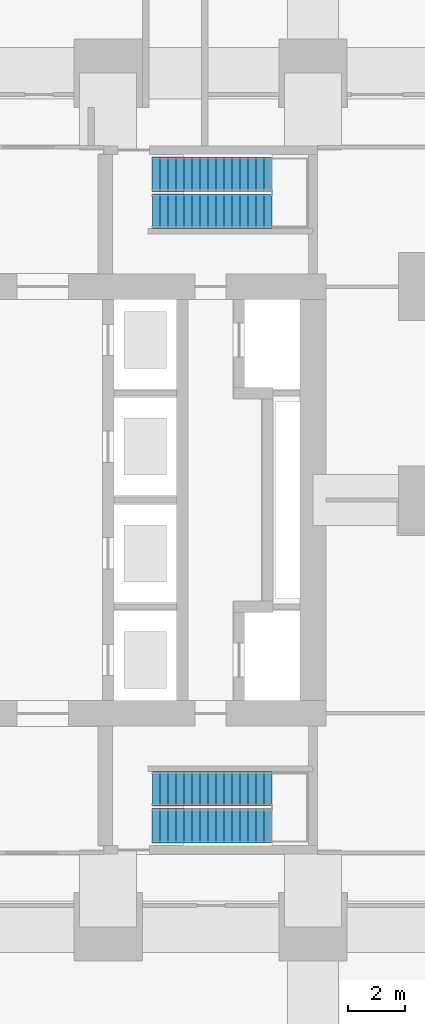
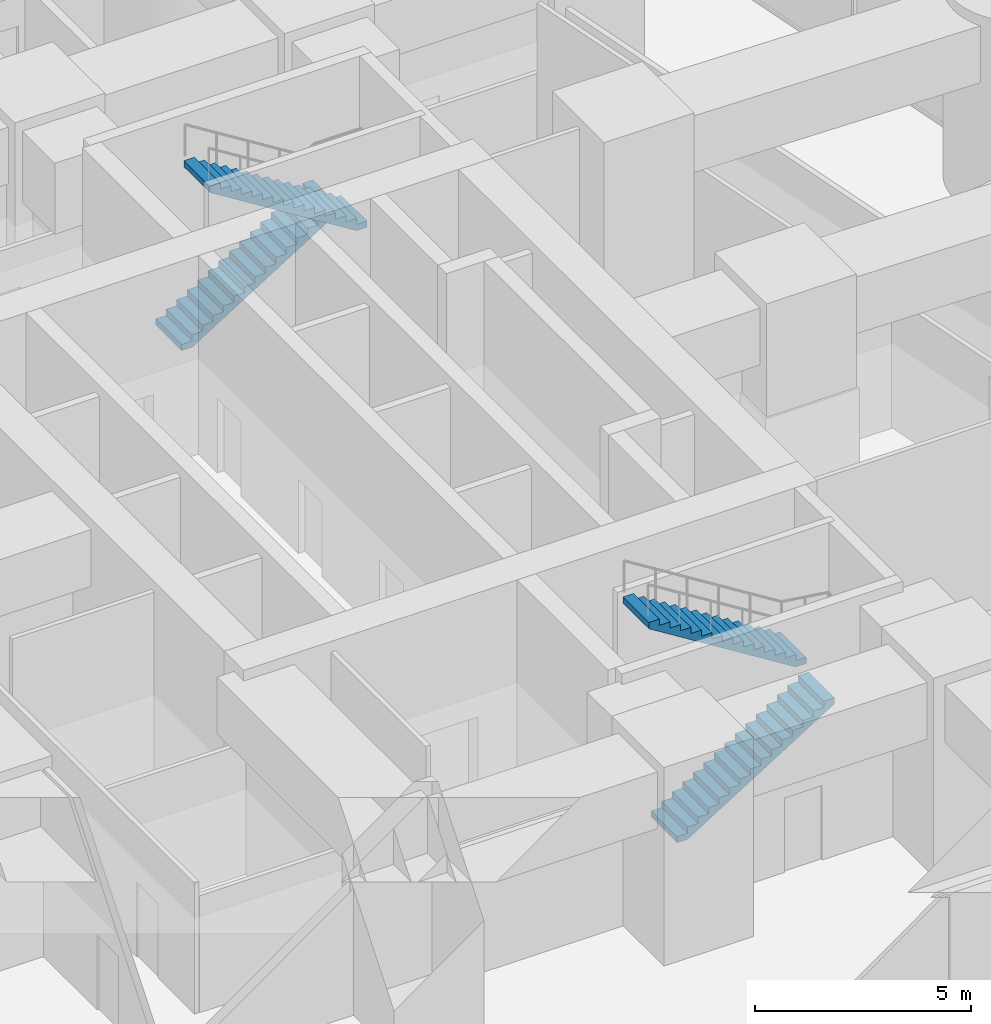
# One storey, part 13 of 16: 4 stair flights, 2 elements without a shape of their own.
"""IFC4 building model written with IfcOpenShell, lengths in metres."""

from ifc_helpers import new_model, si_unit, direction, frame, origin, place, context, subcontext, project, spatial, triangles, material, type_object, element, aggregate, save


model = new_model("IFC4")

# Units and contexts
model_context = context("Model", 3, precision=1e-05, world=origin(), true_north=direction((0.0, 1.0)))
body_context = subcontext(model_context, "Body", "Model", "MODEL_VIEW")
ifc_project = project(units=[si_unit("LENGTHUNIT", "METRE"), si_unit("AREAUNIT", "SQUARE_METRE"), si_unit("VOLUMEUNIT", "CUBIC_METRE"), si_unit("PLANEANGLEUNIT", "RADIAN"), si_unit("MASSUNIT", "GRAM", prefix="KILO")], contexts=[model_context])

# Site, building, storey
site_placement = place(None, origin())
site = spatial("IfcSite", under=ifc_project, at=site_placement, CompositionType="ELEMENT")
building_placement = place(site_placement, origin())
building = spatial("IfcBuilding", under=site, at=building_placement, Name="Sheger Commons Tower", CompositionType="ELEMENT")
storey_placement = place(building_placement, origin())
storey = spatial("IfcBuildingStorey", under=building, at=storey_placement, Name="L00", CompositionType="ELEMENT", Elevation=0.0)

# Stair, stair flights
ifc_material_1 = material(Name="Concrete C35/45", Category="concrete")
stair_type = type_object("IfcStairType", Name="HALF-TURN STAIR 1200 RISE 5600", PredefinedType="HALF_TURN_STAIR", material=ifc_material_1)
stair_1_placement = place(storey_placement, origin())
stair_1 = element("IfcStair", 1, at=stair_1_placement, inside=storey, type_object=stair_type, Name="Stair S1 L00", PredefinedType="HALF_TURN_STAIR")
ifc_material_2 = material(Name="Concrete C35/45", Category="concrete")
stair_flight_type = type_object("IfcStairFlightType", Name="STAIR FLIGHT 1200 16 RISERS OF 175", PredefinedType="STRAIGHT", material=ifc_material_2)
stair_flight_1_placement = place(storey_placement, frame((23.14990234375, 11.050048828125, 0.0), z_axis=(0.0, 0.0, 1.0), x_axis=(1.0, 0.0, 0.0)))
stair_flight_1 = element("IfcStairFlight", 2, at=stair_flight_1_placement, type_object=stair_flight_type, Name="S1 flight 1", NumberOfRisers=16, NumberOfTreads=15, PredefinedType="STRAIGHT", RiserHeight=0.175, TreadLength=0.28, context=body_context, shape_type="Tessellation", body=[
    triangles([(0.0, 0.5999755859375, 0.0), (0.0, 0.5999755859375, 0.175048828125), (0.280029296875, 0.5999755859375, 0.175048828125), (0.280029296875, 0.5999755859375, 0.35009765625), (0.56005859375, 0.5999755859375, 0.35009765625), (0.56005859375, 0.5999755859375, 0.52490234375), (0.840087890625, 0.5999755859375, 0.52490234375), (0.840087890625, 0.5999755859375, 0.699951171875), (1.1201171875, 0.5999755859375, 0.699951171875), (1.1201171875, 0.5999755859375, 0.875), (1.39990234375, 0.5999755859375, 0.875), (1.39990234375, 0.5999755859375, 1.050048828125), (1.679931640625, 0.5999755859375, 1.050048828125), (1.679931640625, 0.5999755859375, 1.22509765625), (1.9599609375, 0.5999755859375, 1.22509765625), (1.9599609375, 0.5999755859375, 1.39990234375), (2.239990234375, 0.5999755859375, 1.39990234375), (2.239990234375, 0.5999755859375, 1.574951171875), (2.52001953125, 0.5999755859375, 1.574951171875), (2.52001953125, 0.5999755859375, 1.75), (2.800048828125, 0.5999755859375, 1.75), (2.800048828125, 0.5999755859375, 1.925048828125), (3.080078125, 0.5999755859375, 1.925048828125), (3.080078125, 0.5999755859375, 2.10009765625), (3.360107421875, 0.5999755859375, 2.10009765625), (3.360107421875, 0.5999755859375, 2.27490234375), (3.639892578125, 0.5999755859375, 2.27490234375), (3.639892578125, 0.5999755859375, 2.449951171875), (3.919921875, 0.5999755859375, 2.449951171875), (3.919921875, 0.5999755859375, 2.625), (4.199951171875, 0.5999755859375, 2.625), (4.199951171875, 0.5999755859375, 2.4482421875), (0.28271484375, 0.5999755859375, 0.0), (0.0, -0.5999755859375, 0.0), (0.0, -0.5999755859375, 0.175048828125), (0.280029296875, -0.5999755859375, 0.175048828125), (0.280029296875, -0.5999755859375, 0.35009765625), (0.56005859375, -0.5999755859375, 0.35009765625), (0.56005859375, -0.5999755859375, 0.52490234375), (0.840087890625, -0.5999755859375, 0.52490234375), (0.840087890625, -0.5999755859375, 0.699951171875), (1.1201171875, -0.5999755859375, 0.699951171875), (1.1201171875, -0.5999755859375, 0.875), (1.39990234375, -0.5999755859375, 0.875), (1.39990234375, -0.5999755859375, 1.050048828125), (1.679931640625, -0.5999755859375, 1.050048828125), (1.679931640625, -0.5999755859375, 1.22509765625), (1.9599609375, -0.5999755859375, 1.22509765625), (1.9599609375, -0.5999755859375, 1.39990234375), (2.239990234375, -0.5999755859375, 1.39990234375), (2.239990234375, -0.5999755859375, 1.574951171875), (2.52001953125, -0.5999755859375, 1.574951171875), (2.52001953125, -0.5999755859375, 1.75), (2.800048828125, -0.5999755859375, 1.75), (2.800048828125, -0.5999755859375, 1.925048828125), (3.080078125, -0.5999755859375, 1.925048828125), (3.080078125, -0.5999755859375, 2.10009765625), (3.360107421875, -0.5999755859375, 2.10009765625), (3.360107421875, -0.5999755859375, 2.27490234375), (3.639892578125, -0.5999755859375, 2.27490234375), (3.639892578125, -0.5999755859375, 2.449951171875), (3.919921875, -0.5999755859375, 2.449951171875), (3.919921875, -0.5999755859375, 2.625), (4.199951171875, -0.5999755859375, 2.625), (4.199951171875, -0.5999755859375, 2.4482421875), (0.28271484375, -0.5999755859375, 0.0), (0.0, 0.0, 0.0875244140625), (0.1400146484375, 0.0, 0.175048828125), (0.280029296875, 0.0, 0.2625732421875), (0.4200439453125, 0.0, 0.35009765625), (0.56005859375, 0.0, 0.4375), (0.7000732421875, 0.0, 0.52490234375), (0.840087890625, 0.0, 0.6124267578125), (0.9801025390625, 0.0, 0.699951171875), (1.1201171875, 0.0, 0.7874755859375), (1.260009765625, 0.0, 0.875), (1.39990234375, 0.0, 0.9625244140625), (1.5399169921875, 0.0, 1.050048828125), (1.679931640625, 0.0, 1.1375732421875), (1.8199462890625, 0.0, 1.22509765625), (1.9599609375, 0.0, 1.3125), (2.0999755859375, 0.0, 1.39990234375), (2.239990234375, 0.0, 1.4874267578125), (2.3800048828125, 0.0, 1.574951171875), (2.52001953125, 0.0, 1.6624755859375), (2.6600341796875, 0.0, 1.75), (2.800048828125, 0.0, 1.8375244140625), (2.9400634765625, 0.0, 1.925048828125), (3.080078125, 0.0, 2.0125732421875), (3.2200927734375, 0.0, 2.10009765625), (3.360107421875, 0.0, 2.1875), (3.5, 0.0, 2.27490234375), (3.639892578125, 0.0, 2.3624267578125), (3.7799072265625, 0.0, 2.449951171875), (3.919921875, 0.0, 2.5374755859375), (4.0599365234375, 0.0, 2.625), (4.199951171875, 0.0, 2.53662109375), (2.2413330078125, 0.0, 1.22412109375), (0.141357421875, 0.0, 0.0)], [[1, 32, 33], [34, 66, 65], [32, 30, 31], [65, 64, 63], [32, 29, 30], [65, 63, 62], [32, 28, 29], [65, 62, 61], [32, 27, 28], [65, 61, 60], [27, 25, 26], [60, 59, 58], [32, 25, 27], [65, 60, 58], [25, 23, 24], [58, 57, 56], [32, 23, 25], [65, 58, 56], [23, 21, 22], [56, 55, 54], [32, 21, 23], [65, 56, 54], [21, 19, 20], [54, 53, 52], [32, 19, 21], [65, 54, 52], [19, 17, 18], [52, 51, 50], [32, 17, 19], [65, 52, 50], [17, 15, 16], [50, 49, 48], [32, 15, 17], [65, 50, 48], [15, 13, 14], [48, 47, 46], [32, 13, 15], [65, 48, 46], [13, 11, 12], [46, 45, 44], [32, 11, 13], [65, 46, 44], [11, 9, 10], [44, 43, 42], [32, 9, 11], [65, 44, 42], [9, 7, 8], [42, 41, 40], [32, 7, 9], [65, 42, 40], [1, 7, 32], [34, 65, 40], [7, 5, 6], [40, 39, 38], [5, 3, 4], [38, 37, 36], [7, 3, 5], [40, 38, 36], [1, 3, 7], [34, 40, 36], [3, 1, 2], [36, 35, 34], [1, 67, 2], [2, 67, 35], [35, 67, 34], [34, 67, 1], [2, 68, 3], [3, 68, 36], [36, 68, 35], [35, 68, 2], [3, 69, 4], [4, 69, 37], [37, 69, 36], [36, 69, 3], [4, 70, 5], [5, 70, 38], [38, 70, 37], [37, 70, 4], [5, 71, 6], [6, 71, 39], [39, 71, 38], [38, 71, 5], [6, 72, 7], [7, 72, 40], [40, 72, 39], [39, 72, 6], [7, 73, 8], [8, 73, 41], [41, 73, 40], [40, 73, 7], [8, 74, 9], [9, 74, 42], [42, 74, 41], [41, 74, 8], [9, 75, 10], [10, 75, 43], [43, 75, 42], [42, 75, 9], [10, 76, 11], [11, 76, 44], [44, 76, 43], [43, 76, 10], [11, 77, 12], [12, 77, 45], [45, 77, 44], [44, 77, 11], [12, 78, 13], [13, 78, 46], [46, 78, 45], [45, 78, 12], [13, 79, 14], [14, 79, 47], [47, 79, 46], [46, 79, 13], [14, 80, 15], [15, 80, 48], [48, 80, 47], [47, 80, 14], [15, 81, 16], [16, 81, 49], [49, 81, 48], [48, 81, 15], [16, 82, 17], [17, 82, 50], [50, 82, 49], [49, 82, 16], [17, 83, 18], [18, 83, 51], [51, 83, 50], [50, 83, 17], [18, 84, 19], [19, 84, 52], [52, 84, 51], [51, 84, 18], [19, 85, 20], [20, 85, 53], [53, 85, 52], [52, 85, 19], [20, 86, 21], [21, 86, 54], [54, 86, 53], [53, 86, 20], [21, 87, 22], [22, 87, 55], [55, 87, 54], [54, 87, 21], [22, 88, 23], [23, 88, 56], [56, 88, 55], [55, 88, 22], [23, 89, 24], [24, 89, 57], [57, 89, 56], [56, 89, 23], [24, 90, 25], [25, 90, 58], [58, 90, 57], [57, 90, 24], [25, 91, 26], [26, 91, 59], [59, 91, 58], [58, 91, 25], [26, 92, 27], [27, 92, 60], [60, 92, 59], [59, 92, 26], [27, 93, 28], [28, 93, 61], [61, 93, 60], [60, 93, 27], [28, 94, 29], [29, 94, 62], [62, 94, 61], [61, 94, 28], [29, 95, 30], [30, 95, 63], [63, 95, 62], [62, 95, 29], [30, 96, 31], [31, 96, 64], [64, 96, 63], [63, 96, 30], [31, 97, 32], [32, 97, 65], [65, 97, 64], [64, 97, 31], [32, 98, 33], [33, 98, 66], [66, 98, 65], [65, 98, 32], [33, 99, 1], [1, 99, 34], [34, 99, 66], [66, 99, 33]], closed=True),
])
stair_flight_2_placement = place(storey_placement, frame((27.35009765625, 12.35009765625, 2.800048828125), z_axis=(0.0, 0.0, 1.0), x_axis=(-1.0, 0.0, 0.0)))
stair_flight_2 = element("IfcStairFlight", 3, at=stair_flight_2_placement, type_object=stair_flight_type, Name="S1 flight 2", NumberOfRisers=16, NumberOfTreads=15, PredefinedType="STRAIGHT", RiserHeight=0.175, TreadLength=0.28, context=body_context, shape_type="Tessellation", body=[
    triangles([(0.0, 0.5999755859375, 0.0), (0.0, 0.5999755859375, 0.175048828125), (0.280029296875, 0.5999755859375, 0.175048828125), (0.280029296875, 0.5999755859375, 0.35009765625), (0.56005859375, 0.5999755859375, 0.35009765625), (0.56005859375, 0.5999755859375, 0.52490234375), (0.840087890625, 0.5999755859375, 0.52490234375), (0.840087890625, 0.5999755859375, 0.699951171875), (1.1201171875, 0.5999755859375, 0.699951171875), (1.1201171875, 0.5999755859375, 0.875), (1.39990234375, 0.5999755859375, 0.875), (1.39990234375, 0.5999755859375, 1.050048828125), (1.679931640625, 0.5999755859375, 1.050048828125), (1.679931640625, 0.5999755859375, 1.22509765625), (1.9599609375, 0.5999755859375, 1.22509765625), (1.9599609375, 0.5999755859375, 1.39990234375), (2.239990234375, 0.5999755859375, 1.39990234375), (2.239990234375, 0.5999755859375, 1.574951171875), (2.52001953125, 0.5999755859375, 1.574951171875), (2.52001953125, 0.5999755859375, 1.75), (2.800048828125, 0.5999755859375, 1.75), (2.800048828125, 0.5999755859375, 1.925048828125), (3.080078125, 0.5999755859375, 1.925048828125), (3.080078125, 0.5999755859375, 2.10009765625), (3.360107421875, 0.5999755859375, 2.10009765625), (3.360107421875, 0.5999755859375, 2.27490234375), (3.639892578125, 0.5999755859375, 2.27490234375), (3.639892578125, 0.5999755859375, 2.449951171875), (3.919921875, 0.5999755859375, 2.449951171875), (3.919921875, 0.5999755859375, 2.625), (4.199951171875, 0.5999755859375, 2.625), (4.199951171875, 0.5999755859375, 2.4482421875), (0.28271484375, 0.5999755859375, 0.0), (0.0, -0.5999755859375, 0.0), (0.0, -0.5999755859375, 0.175048828125), (0.280029296875, -0.5999755859375, 0.175048828125), (0.280029296875, -0.5999755859375, 0.35009765625), (0.56005859375, -0.5999755859375, 0.35009765625), (0.56005859375, -0.5999755859375, 0.52490234375), (0.840087890625, -0.5999755859375, 0.52490234375), (0.840087890625, -0.5999755859375, 0.699951171875), (1.1201171875, -0.5999755859375, 0.699951171875), (1.1201171875, -0.5999755859375, 0.875), (1.39990234375, -0.5999755859375, 0.875), (1.39990234375, -0.5999755859375, 1.050048828125), (1.679931640625, -0.5999755859375, 1.050048828125), (1.679931640625, -0.5999755859375, 1.22509765625), (1.9599609375, -0.5999755859375, 1.22509765625), (1.9599609375, -0.5999755859375, 1.39990234375), (2.239990234375, -0.5999755859375, 1.39990234375), (2.239990234375, -0.5999755859375, 1.574951171875), (2.52001953125, -0.5999755859375, 1.574951171875), (2.52001953125, -0.5999755859375, 1.75), (2.800048828125, -0.5999755859375, 1.75), (2.800048828125, -0.5999755859375, 1.925048828125), (3.080078125, -0.5999755859375, 1.925048828125), (3.080078125, -0.5999755859375, 2.10009765625), (3.360107421875, -0.5999755859375, 2.10009765625), (3.360107421875, -0.5999755859375, 2.27490234375), (3.639892578125, -0.5999755859375, 2.27490234375), (3.639892578125, -0.5999755859375, 2.449951171875), (3.919921875, -0.5999755859375, 2.449951171875), (3.919921875, -0.5999755859375, 2.625), (4.199951171875, -0.5999755859375, 2.625), (4.199951171875, -0.5999755859375, 2.4482421875), (0.28271484375, -0.5999755859375, 0.0), (0.0, 0.0, 0.0875244140625), (0.1400146484375, 0.0, 0.175048828125), (0.280029296875, 0.0, 0.2625732421875), (0.4200439453125, 0.0, 0.35009765625), (0.56005859375, 0.0, 0.4375), (0.7000732421875, 0.0, 0.52490234375), (0.840087890625, 0.0, 0.6124267578125), (0.9801025390625, 0.0, 0.699951171875), (1.1201171875, 0.0, 0.7874755859375), (1.260009765625, 0.0, 0.875), (1.39990234375, 0.0, 0.9625244140625), (1.5399169921875, 0.0, 1.050048828125), (1.679931640625, 0.0, 1.1375732421875), (1.8199462890625, 0.0, 1.22509765625), (1.9599609375, 0.0, 1.3125), (2.0999755859375, 0.0, 1.39990234375), (2.239990234375, 0.0, 1.4874267578125), (2.3800048828125, 0.0, 1.574951171875), (2.52001953125, 0.0, 1.6624755859375), (2.6600341796875, 0.0, 1.75), (2.800048828125, 0.0, 1.8375244140625), (2.9400634765625, 0.0, 1.925048828125), (3.080078125, 0.0, 2.0125732421875), (3.2200927734375, 0.0, 2.10009765625), (3.360107421875, 0.0, 2.1875), (3.5, 0.0, 2.27490234375), (3.639892578125, 0.0, 2.3624267578125), (3.7799072265625, 0.0, 2.449951171875), (3.919921875, 0.0, 2.5374755859375), (4.0599365234375, 0.0, 2.625), (4.199951171875, 0.0, 2.53662109375), (2.2413330078125, 0.0, 1.22412109375), (0.141357421875, 0.0, 0.0)], [[1, 32, 33], [34, 66, 65], [32, 30, 31], [65, 64, 63], [32, 29, 30], [65, 63, 62], [32, 28, 29], [65, 62, 61], [32, 27, 28], [65, 61, 60], [27, 25, 26], [60, 59, 58], [32, 25, 27], [65, 60, 58], [25, 23, 24], [58, 57, 56], [32, 23, 25], [65, 58, 56], [23, 21, 22], [56, 55, 54], [32, 21, 23], [65, 56, 54], [21, 19, 20], [54, 53, 52], [32, 19, 21], [65, 54, 52], [19, 17, 18], [52, 51, 50], [32, 17, 19], [65, 52, 50], [17, 15, 16], [50, 49, 48], [32, 15, 17], [65, 50, 48], [15, 13, 14], [48, 47, 46], [32, 13, 15], [65, 48, 46], [13, 11, 12], [46, 45, 44], [32, 11, 13], [65, 46, 44], [11, 9, 10], [44, 43, 42], [32, 9, 11], [65, 44, 42], [9, 7, 8], [42, 41, 40], [32, 7, 9], [65, 42, 40], [1, 7, 32], [34, 65, 40], [7, 5, 6], [40, 39, 38], [5, 3, 4], [38, 37, 36], [7, 3, 5], [40, 38, 36], [1, 3, 7], [34, 40, 36], [3, 1, 2], [36, 35, 34], [1, 67, 2], [2, 67, 35], [35, 67, 34], [34, 67, 1], [2, 68, 3], [3, 68, 36], [36, 68, 35], [35, 68, 2], [3, 69, 4], [4, 69, 37], [37, 69, 36], [36, 69, 3], [4, 70, 5], [5, 70, 38], [38, 70, 37], [37, 70, 4], [5, 71, 6], [6, 71, 39], [39, 71, 38], [38, 71, 5], [6, 72, 7], [7, 72, 40], [40, 72, 39], [39, 72, 6], [7, 73, 8], [8, 73, 41], [41, 73, 40], [40, 73, 7], [8, 74, 9], [9, 74, 42], [42, 74, 41], [41, 74, 8], [9, 75, 10], [10, 75, 43], [43, 75, 42], [42, 75, 9], [10, 76, 11], [11, 76, 44], [44, 76, 43], [43, 76, 10], [11, 77, 12], [12, 77, 45], [45, 77, 44], [44, 77, 11], [12, 78, 13], [13, 78, 46], [46, 78, 45], [45, 78, 12], [13, 79, 14], [14, 79, 47], [47, 79, 46], [46, 79, 13], [14, 80, 15], [15, 80, 48], [48, 80, 47], [47, 80, 14], [15, 81, 16], [16, 81, 49], [49, 81, 48], [48, 81, 15], [16, 82, 17], [17, 82, 50], [50, 82, 49], [49, 82, 16], [17, 83, 18], [18, 83, 51], [51, 83, 50], [50, 83, 17], [18, 84, 19], [19, 84, 52], [52, 84, 51], [51, 84, 18], [19, 85, 20], [20, 85, 53], [53, 85, 52], [52, 85, 19], [20, 86, 21], [21, 86, 54], [54, 86, 53], [53, 86, 20], [21, 87, 22], [22, 87, 55], [55, 87, 54], [54, 87, 21], [22, 88, 23], [23, 88, 56], [56, 88, 55], [55, 88, 22], [23, 89, 24], [24, 89, 57], [57, 89, 56], [56, 89, 23], [24, 90, 25], [25, 90, 58], [58, 90, 57], [57, 90, 24], [25, 91, 26], [26, 91, 59], [59, 91, 58], [58, 91, 25], [26, 92, 27], [27, 92, 60], [60, 92, 59], [59, 92, 26], [27, 93, 28], [28, 93, 61], [61, 93, 60], [60, 93, 27], [28, 94, 29], [29, 94, 62], [62, 94, 61], [61, 94, 28], [29, 95, 30], [30, 95, 63], [63, 95, 62], [62, 95, 29], [30, 96, 31], [31, 96, 64], [64, 96, 63], [63, 96, 30], [31, 97, 32], [32, 97, 65], [65, 97, 64], [64, 97, 31], [32, 98, 33], [33, 98, 66], [66, 98, 65], [65, 98, 32], [33, 99, 1], [1, 99, 34], [34, 99, 66], [66, 99, 33]], closed=True),
])
aggregate(stair_1, [stair_flight_1, stair_flight_2])

stair_2_placement = place(storey_placement, origin())
stair_2 = element("IfcStair", 4, at=stair_2_placement, inside=storey, type_object=stair_type, Name="Stair S2 L00", PredefinedType="HALF_TURN_STAIR")
stair_flight_3_placement = place(storey_placement, frame((23.14990234375, 33.949951171875, 0.0), z_axis=(0.0, 0.0, 1.0), x_axis=(1.0, 0.0, 0.0)))
stair_flight_3 = element("IfcStairFlight", 5, at=stair_flight_3_placement, type_object=stair_flight_type, Name="S2 flight 1", NumberOfRisers=16, NumberOfTreads=15, PredefinedType="STRAIGHT", RiserHeight=0.175, TreadLength=0.28, context=body_context, shape_type="Tessellation", body=[
    triangles([(0.0, 0.5999755859375, 0.0), (0.0, 0.5999755859375, 0.175048828125), (0.280029296875, 0.5999755859375, 0.175048828125), (0.280029296875, 0.5999755859375, 0.35009765625), (0.56005859375, 0.5999755859375, 0.35009765625), (0.56005859375, 0.5999755859375, 0.52490234375), (0.840087890625, 0.5999755859375, 0.52490234375), (0.840087890625, 0.5999755859375, 0.699951171875), (1.1201171875, 0.5999755859375, 0.699951171875), (1.1201171875, 0.5999755859375, 0.875), (1.39990234375, 0.5999755859375, 0.875), (1.39990234375, 0.5999755859375, 1.050048828125), (1.679931640625, 0.5999755859375, 1.050048828125), (1.679931640625, 0.5999755859375, 1.22509765625), (1.9599609375, 0.5999755859375, 1.22509765625), (1.9599609375, 0.5999755859375, 1.39990234375), (2.239990234375, 0.5999755859375, 1.39990234375), (2.239990234375, 0.5999755859375, 1.574951171875), (2.52001953125, 0.5999755859375, 1.574951171875), (2.52001953125, 0.5999755859375, 1.75), (2.800048828125, 0.5999755859375, 1.75), (2.800048828125, 0.5999755859375, 1.925048828125), (3.080078125, 0.5999755859375, 1.925048828125), (3.080078125, 0.5999755859375, 2.10009765625), (3.360107421875, 0.5999755859375, 2.10009765625), (3.360107421875, 0.5999755859375, 2.27490234375), (3.639892578125, 0.5999755859375, 2.27490234375), (3.639892578125, 0.5999755859375, 2.449951171875), (3.919921875, 0.5999755859375, 2.449951171875), (3.919921875, 0.5999755859375, 2.625), (4.199951171875, 0.5999755859375, 2.625), (4.199951171875, 0.5999755859375, 2.4482421875), (0.28271484375, 0.5999755859375, 0.0), (0.0, -0.5999755859375, 0.0), (0.0, -0.5999755859375, 0.175048828125), (0.280029296875, -0.5999755859375, 0.175048828125), (0.280029296875, -0.5999755859375, 0.35009765625), (0.56005859375, -0.5999755859375, 0.35009765625), (0.56005859375, -0.5999755859375, 0.52490234375), (0.840087890625, -0.5999755859375, 0.52490234375), (0.840087890625, -0.5999755859375, 0.699951171875), (1.1201171875, -0.5999755859375, 0.699951171875), (1.1201171875, -0.5999755859375, 0.875), (1.39990234375, -0.5999755859375, 0.875), (1.39990234375, -0.5999755859375, 1.050048828125), (1.679931640625, -0.5999755859375, 1.050048828125), (1.679931640625, -0.5999755859375, 1.22509765625), (1.9599609375, -0.5999755859375, 1.22509765625), (1.9599609375, -0.5999755859375, 1.39990234375), (2.239990234375, -0.5999755859375, 1.39990234375), (2.239990234375, -0.5999755859375, 1.574951171875), (2.52001953125, -0.5999755859375, 1.574951171875), (2.52001953125, -0.5999755859375, 1.75), (2.800048828125, -0.5999755859375, 1.75), (2.800048828125, -0.5999755859375, 1.925048828125), (3.080078125, -0.5999755859375, 1.925048828125), (3.080078125, -0.5999755859375, 2.10009765625), (3.360107421875, -0.5999755859375, 2.10009765625), (3.360107421875, -0.5999755859375, 2.27490234375), (3.639892578125, -0.5999755859375, 2.27490234375), (3.639892578125, -0.5999755859375, 2.449951171875), (3.919921875, -0.5999755859375, 2.449951171875), (3.919921875, -0.5999755859375, 2.625), (4.199951171875, -0.5999755859375, 2.625), (4.199951171875, -0.5999755859375, 2.4482421875), (0.28271484375, -0.5999755859375, 0.0), (0.0, 0.0, 0.0875244140625), (0.1400146484375, 0.0, 0.175048828125), (0.280029296875, 0.0, 0.2625732421875), (0.4200439453125, 0.0, 0.35009765625), (0.56005859375, 0.0, 0.4375), (0.7000732421875, 0.0, 0.52490234375), (0.840087890625, 0.0, 0.6124267578125), (0.9801025390625, 0.0, 0.699951171875), (1.1201171875, 0.0, 0.7874755859375), (1.260009765625, 0.0, 0.875), (1.39990234375, 0.0, 0.9625244140625), (1.5399169921875, 0.0, 1.050048828125), (1.679931640625, 0.0, 1.1375732421875), (1.8199462890625, 0.0, 1.22509765625), (1.9599609375, 0.0, 1.3125), (2.0999755859375, 0.0, 1.39990234375), (2.239990234375, 0.0, 1.4874267578125), (2.3800048828125, 0.0, 1.574951171875), (2.52001953125, 0.0, 1.6624755859375), (2.6600341796875, 0.0, 1.75), (2.800048828125, 0.0, 1.8375244140625), (2.9400634765625, 0.0, 1.925048828125), (3.080078125, 0.0, 2.0125732421875), (3.2200927734375, 0.0, 2.10009765625), (3.360107421875, 0.0, 2.1875), (3.5, 0.0, 2.27490234375), (3.639892578125, 0.0, 2.3624267578125), (3.7799072265625, 0.0, 2.449951171875), (3.919921875, 0.0, 2.5374755859375), (4.0599365234375, 0.0, 2.625), (4.199951171875, 0.0, 2.53662109375), (2.2413330078125, 0.0, 1.22412109375), (0.141357421875, 0.0, 0.0)], [[1, 32, 33], [34, 66, 65], [32, 30, 31], [65, 64, 63], [32, 29, 30], [65, 63, 62], [32, 28, 29], [65, 62, 61], [32, 27, 28], [65, 61, 60], [27, 25, 26], [60, 59, 58], [32, 25, 27], [65, 60, 58], [25, 23, 24], [58, 57, 56], [32, 23, 25], [65, 58, 56], [23, 21, 22], [56, 55, 54], [32, 21, 23], [65, 56, 54], [21, 19, 20], [54, 53, 52], [32, 19, 21], [65, 54, 52], [19, 17, 18], [52, 51, 50], [32, 17, 19], [65, 52, 50], [17, 15, 16], [50, 49, 48], [32, 15, 17], [65, 50, 48], [15, 13, 14], [48, 47, 46], [32, 13, 15], [65, 48, 46], [13, 11, 12], [46, 45, 44], [32, 11, 13], [65, 46, 44], [11, 9, 10], [44, 43, 42], [32, 9, 11], [65, 44, 42], [9, 7, 8], [42, 41, 40], [32, 7, 9], [65, 42, 40], [1, 7, 32], [34, 65, 40], [7, 5, 6], [40, 39, 38], [5, 3, 4], [38, 37, 36], [7, 3, 5], [40, 38, 36], [1, 3, 7], [34, 40, 36], [3, 1, 2], [36, 35, 34], [1, 67, 2], [2, 67, 35], [35, 67, 34], [34, 67, 1], [2, 68, 3], [3, 68, 36], [36, 68, 35], [35, 68, 2], [3, 69, 4], [4, 69, 37], [37, 69, 36], [36, 69, 3], [4, 70, 5], [5, 70, 38], [38, 70, 37], [37, 70, 4], [5, 71, 6], [6, 71, 39], [39, 71, 38], [38, 71, 5], [6, 72, 7], [7, 72, 40], [40, 72, 39], [39, 72, 6], [7, 73, 8], [8, 73, 41], [41, 73, 40], [40, 73, 7], [8, 74, 9], [9, 74, 42], [42, 74, 41], [41, 74, 8], [9, 75, 10], [10, 75, 43], [43, 75, 42], [42, 75, 9], [10, 76, 11], [11, 76, 44], [44, 76, 43], [43, 76, 10], [11, 77, 12], [12, 77, 45], [45, 77, 44], [44, 77, 11], [12, 78, 13], [13, 78, 46], [46, 78, 45], [45, 78, 12], [13, 79, 14], [14, 79, 47], [47, 79, 46], [46, 79, 13], [14, 80, 15], [15, 80, 48], [48, 80, 47], [47, 80, 14], [15, 81, 16], [16, 81, 49], [49, 81, 48], [48, 81, 15], [16, 82, 17], [17, 82, 50], [50, 82, 49], [49, 82, 16], [17, 83, 18], [18, 83, 51], [51, 83, 50], [50, 83, 17], [18, 84, 19], [19, 84, 52], [52, 84, 51], [51, 84, 18], [19, 85, 20], [20, 85, 53], [53, 85, 52], [52, 85, 19], [20, 86, 21], [21, 86, 54], [54, 86, 53], [53, 86, 20], [21, 87, 22], [22, 87, 55], [55, 87, 54], [54, 87, 21], [22, 88, 23], [23, 88, 56], [56, 88, 55], [55, 88, 22], [23, 89, 24], [24, 89, 57], [57, 89, 56], [56, 89, 23], [24, 90, 25], [25, 90, 58], [58, 90, 57], [57, 90, 24], [25, 91, 26], [26, 91, 59], [59, 91, 58], [58, 91, 25], [26, 92, 27], [27, 92, 60], [60, 92, 59], [59, 92, 26], [27, 93, 28], [28, 93, 61], [61, 93, 60], [60, 93, 27], [28, 94, 29], [29, 94, 62], [62, 94, 61], [61, 94, 28], [29, 95, 30], [30, 95, 63], [63, 95, 62], [62, 95, 29], [30, 96, 31], [31, 96, 64], [64, 96, 63], [63, 96, 30], [31, 97, 32], [32, 97, 65], [65, 97, 64], [64, 97, 31], [32, 98, 33], [33, 98, 66], [66, 98, 65], [65, 98, 32], [33, 99, 1], [1, 99, 34], [34, 99, 66], [66, 99, 33]], closed=True),
])
stair_flight_4_placement = place(storey_placement, frame((27.35009765625, 32.64990234375, 2.800048828125), z_axis=(0.0, 0.0, 1.0), x_axis=(-1.0, 0.0, 0.0)))
stair_flight_4 = element("IfcStairFlight", 6, at=stair_flight_4_placement, type_object=stair_flight_type, Name="S2 flight 2", NumberOfRisers=16, NumberOfTreads=15, PredefinedType="STRAIGHT", RiserHeight=0.175, TreadLength=0.28, context=body_context, shape_type="Tessellation", body=[
    triangles([(0.0, 0.5999755859375, 0.0), (0.0, 0.5999755859375, 0.175048828125), (0.280029296875, 0.5999755859375, 0.175048828125), (0.280029296875, 0.5999755859375, 0.35009765625), (0.56005859375, 0.5999755859375, 0.35009765625), (0.56005859375, 0.5999755859375, 0.52490234375), (0.840087890625, 0.5999755859375, 0.52490234375), (0.840087890625, 0.5999755859375, 0.699951171875), (1.1201171875, 0.5999755859375, 0.699951171875), (1.1201171875, 0.5999755859375, 0.875), (1.39990234375, 0.5999755859375, 0.875), (1.39990234375, 0.5999755859375, 1.050048828125), (1.679931640625, 0.5999755859375, 1.050048828125), (1.679931640625, 0.5999755859375, 1.22509765625), (1.9599609375, 0.5999755859375, 1.22509765625), (1.9599609375, 0.5999755859375, 1.39990234375), (2.239990234375, 0.5999755859375, 1.39990234375), (2.239990234375, 0.5999755859375, 1.574951171875), (2.52001953125, 0.5999755859375, 1.574951171875), (2.52001953125, 0.5999755859375, 1.75), (2.800048828125, 0.5999755859375, 1.75), (2.800048828125, 0.5999755859375, 1.925048828125), (3.080078125, 0.5999755859375, 1.925048828125), (3.080078125, 0.5999755859375, 2.10009765625), (3.360107421875, 0.5999755859375, 2.10009765625), (3.360107421875, 0.5999755859375, 2.27490234375), (3.639892578125, 0.5999755859375, 2.27490234375), (3.639892578125, 0.5999755859375, 2.449951171875), (3.919921875, 0.5999755859375, 2.449951171875), (3.919921875, 0.5999755859375, 2.625), (4.199951171875, 0.5999755859375, 2.625), (4.199951171875, 0.5999755859375, 2.4482421875), (0.28271484375, 0.5999755859375, 0.0), (0.0, -0.5999755859375, 0.0), (0.0, -0.5999755859375, 0.175048828125), (0.280029296875, -0.5999755859375, 0.175048828125), (0.280029296875, -0.5999755859375, 0.35009765625), (0.56005859375, -0.5999755859375, 0.35009765625), (0.56005859375, -0.5999755859375, 0.52490234375), (0.840087890625, -0.5999755859375, 0.52490234375), (0.840087890625, -0.5999755859375, 0.699951171875), (1.1201171875, -0.5999755859375, 0.699951171875), (1.1201171875, -0.5999755859375, 0.875), (1.39990234375, -0.5999755859375, 0.875), (1.39990234375, -0.5999755859375, 1.050048828125), (1.679931640625, -0.5999755859375, 1.050048828125), (1.679931640625, -0.5999755859375, 1.22509765625), (1.9599609375, -0.5999755859375, 1.22509765625), (1.9599609375, -0.5999755859375, 1.39990234375), (2.239990234375, -0.5999755859375, 1.39990234375), (2.239990234375, -0.5999755859375, 1.574951171875), (2.52001953125, -0.5999755859375, 1.574951171875), (2.52001953125, -0.5999755859375, 1.75), (2.800048828125, -0.5999755859375, 1.75), (2.800048828125, -0.5999755859375, 1.925048828125), (3.080078125, -0.5999755859375, 1.925048828125), (3.080078125, -0.5999755859375, 2.10009765625), (3.360107421875, -0.5999755859375, 2.10009765625), (3.360107421875, -0.5999755859375, 2.27490234375), (3.639892578125, -0.5999755859375, 2.27490234375), (3.639892578125, -0.5999755859375, 2.449951171875), (3.919921875, -0.5999755859375, 2.449951171875), (3.919921875, -0.5999755859375, 2.625), (4.199951171875, -0.5999755859375, 2.625), (4.199951171875, -0.5999755859375, 2.4482421875), (0.28271484375, -0.5999755859375, 0.0), (0.0, 0.0, 0.0875244140625), (0.1400146484375, 0.0, 0.175048828125), (0.280029296875, 0.0, 0.2625732421875), (0.4200439453125, 0.0, 0.35009765625), (0.56005859375, 0.0, 0.4375), (0.7000732421875, 0.0, 0.52490234375), (0.840087890625, 0.0, 0.6124267578125), (0.9801025390625, 0.0, 0.699951171875), (1.1201171875, 0.0, 0.7874755859375), (1.260009765625, 0.0, 0.875), (1.39990234375, 0.0, 0.9625244140625), (1.5399169921875, 0.0, 1.050048828125), (1.679931640625, 0.0, 1.1375732421875), (1.8199462890625, 0.0, 1.22509765625), (1.9599609375, 0.0, 1.3125), (2.0999755859375, 0.0, 1.39990234375), (2.239990234375, 0.0, 1.4874267578125), (2.3800048828125, 0.0, 1.574951171875), (2.52001953125, 0.0, 1.6624755859375), (2.6600341796875, 0.0, 1.75), (2.800048828125, 0.0, 1.8375244140625), (2.9400634765625, 0.0, 1.925048828125), (3.080078125, 0.0, 2.0125732421875), (3.2200927734375, 0.0, 2.10009765625), (3.360107421875, 0.0, 2.1875), (3.5, 0.0, 2.27490234375), (3.639892578125, 0.0, 2.3624267578125), (3.7799072265625, 0.0, 2.449951171875), (3.919921875, 0.0, 2.5374755859375), (4.0599365234375, 0.0, 2.625), (4.199951171875, 0.0, 2.53662109375), (2.2413330078125, 0.0, 1.22412109375), (0.141357421875, 0.0, 0.0)], [[1, 32, 33], [34, 66, 65], [32, 30, 31], [65, 64, 63], [32, 29, 30], [65, 63, 62], [32, 28, 29], [65, 62, 61], [32, 27, 28], [65, 61, 60], [27, 25, 26], [60, 59, 58], [32, 25, 27], [65, 60, 58], [25, 23, 24], [58, 57, 56], [32, 23, 25], [65, 58, 56], [23, 21, 22], [56, 55, 54], [32, 21, 23], [65, 56, 54], [21, 19, 20], [54, 53, 52], [32, 19, 21], [65, 54, 52], [19, 17, 18], [52, 51, 50], [32, 17, 19], [65, 52, 50], [17, 15, 16], [50, 49, 48], [32, 15, 17], [65, 50, 48], [15, 13, 14], [48, 47, 46], [32, 13, 15], [65, 48, 46], [13, 11, 12], [46, 45, 44], [32, 11, 13], [65, 46, 44], [11, 9, 10], [44, 43, 42], [32, 9, 11], [65, 44, 42], [9, 7, 8], [42, 41, 40], [32, 7, 9], [65, 42, 40], [1, 7, 32], [34, 65, 40], [7, 5, 6], [40, 39, 38], [5, 3, 4], [38, 37, 36], [7, 3, 5], [40, 38, 36], [1, 3, 7], [34, 40, 36], [3, 1, 2], [36, 35, 34], [1, 67, 2], [2, 67, 35], [35, 67, 34], [34, 67, 1], [2, 68, 3], [3, 68, 36], [36, 68, 35], [35, 68, 2], [3, 69, 4], [4, 69, 37], [37, 69, 36], [36, 69, 3], [4, 70, 5], [5, 70, 38], [38, 70, 37], [37, 70, 4], [5, 71, 6], [6, 71, 39], [39, 71, 38], [38, 71, 5], [6, 72, 7], [7, 72, 40], [40, 72, 39], [39, 72, 6], [7, 73, 8], [8, 73, 41], [41, 73, 40], [40, 73, 7], [8, 74, 9], [9, 74, 42], [42, 74, 41], [41, 74, 8], [9, 75, 10], [10, 75, 43], [43, 75, 42], [42, 75, 9], [10, 76, 11], [11, 76, 44], [44, 76, 43], [43, 76, 10], [11, 77, 12], [12, 77, 45], [45, 77, 44], [44, 77, 11], [12, 78, 13], [13, 78, 46], [46, 78, 45], [45, 78, 12], [13, 79, 14], [14, 79, 47], [47, 79, 46], [46, 79, 13], [14, 80, 15], [15, 80, 48], [48, 80, 47], [47, 80, 14], [15, 81, 16], [16, 81, 49], [49, 81, 48], [48, 81, 15], [16, 82, 17], [17, 82, 50], [50, 82, 49], [49, 82, 16], [17, 83, 18], [18, 83, 51], [51, 83, 50], [50, 83, 17], [18, 84, 19], [19, 84, 52], [52, 84, 51], [51, 84, 18], [19, 85, 20], [20, 85, 53], [53, 85, 52], [52, 85, 19], [20, 86, 21], [21, 86, 54], [54, 86, 53], [53, 86, 20], [21, 87, 22], [22, 87, 55], [55, 87, 54], [54, 87, 21], [22, 88, 23], [23, 88, 56], [56, 88, 55], [55, 88, 22], [23, 89, 24], [24, 89, 57], [57, 89, 56], [56, 89, 23], [24, 90, 25], [25, 90, 58], [58, 90, 57], [57, 90, 24], [25, 91, 26], [26, 91, 59], [59, 91, 58], [58, 91, 25], [26, 92, 27], [27, 92, 60], [60, 92, 59], [59, 92, 26], [27, 93, 28], [28, 93, 61], [61, 93, 60], [60, 93, 27], [28, 94, 29], [29, 94, 62], [62, 94, 61], [61, 94, 28], [29, 95, 30], [30, 95, 63], [63, 95, 62], [62, 95, 29], [30, 96, 31], [31, 96, 64], [64, 96, 63], [63, 96, 30], [31, 97, 32], [32, 97, 65], [65, 97, 64], [64, 97, 31], [32, 98, 33], [33, 98, 66], [66, 98, 65], [65, 98, 32], [33, 99, 1], [1, 99, 34], [34, 99, 66], [66, 99, 33]], closed=True),
])
aggregate(stair_2, [stair_flight_3, stair_flight_4])

save(model, "model.ifc")
